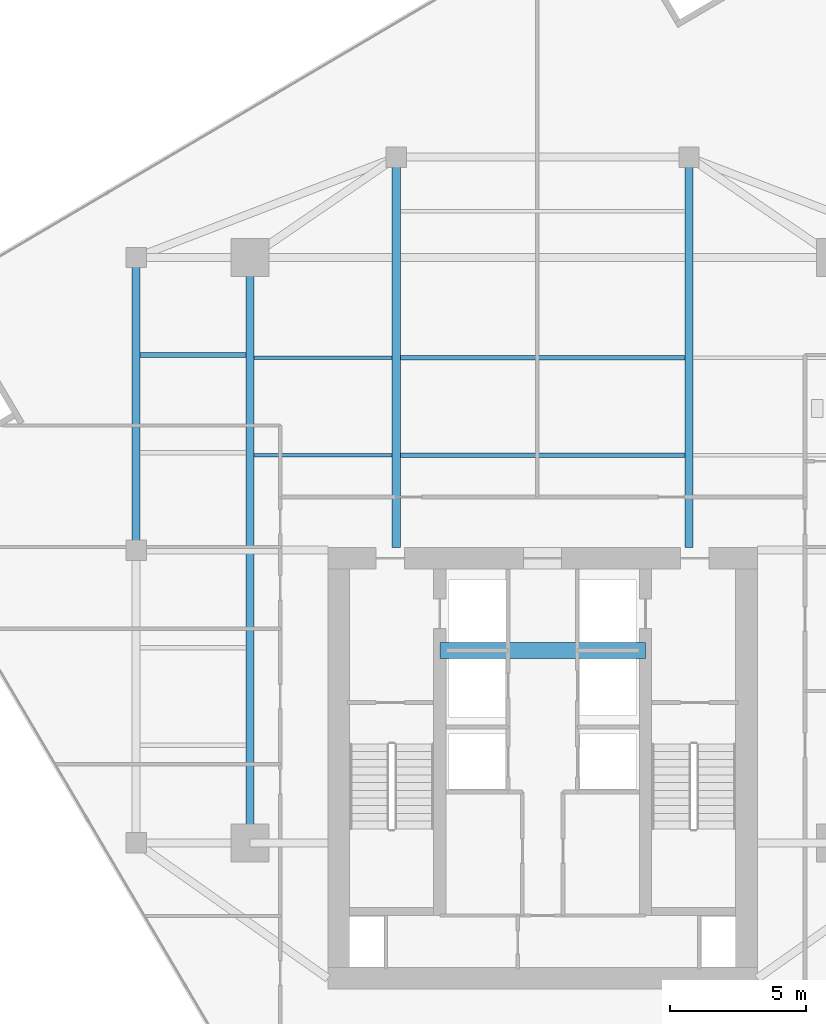
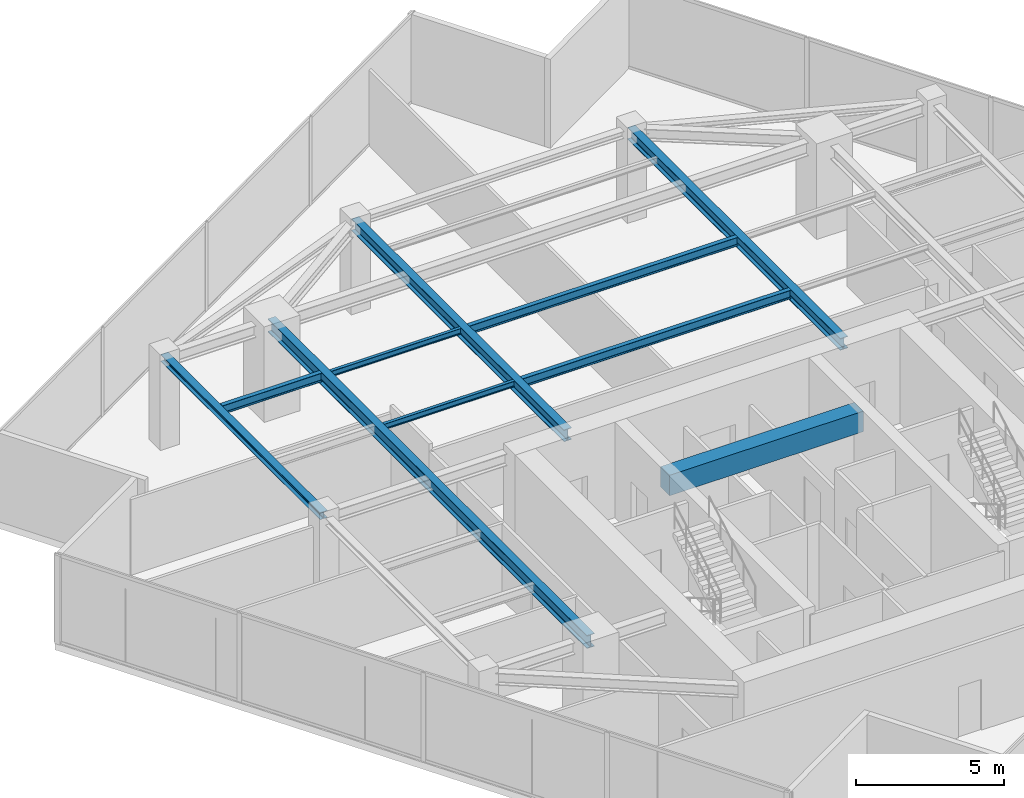
# One storey, part 7 of 20: 10 beams.
"""IFC4 building model written with IfcOpenShell, lengths in metres."""

from ifc_helpers import new_model, si_unit, direction, frame, origin, origin_2d, place, context, subcontext, project, spatial, rectangle, i_section, extrude, source, transform, mapped, material, material_profile, profile_set, type_object, type_shapes, element, save


model = new_model("IFC4")

# Units and contexts
model_context = context("Model", 3, precision=1e-05, world=origin(), true_north=direction((0.0, 1.0)))
body_context = subcontext(model_context, "Body", "Model", "MODEL_VIEW")
ifc_project = project(units=[si_unit("LENGTHUNIT", "METRE"), si_unit("AREAUNIT", "SQUARE_METRE"), si_unit("VOLUMEUNIT", "CUBIC_METRE"), si_unit("PLANEANGLEUNIT", "RADIAN"), si_unit("MASSUNIT", "GRAM", prefix="KILO")], contexts=[model_context])

# Site, building, storey
site_placement = place(None, origin())
site = spatial("IfcSite", under=ifc_project, at=site_placement, CompositionType="ELEMENT")
building_placement = place(site_placement, origin())
building = spatial("IfcBuilding", under=site, at=building_placement, Name="Krantzveldt Concourse Tower", CompositionType="ELEMENT")
storey_placement = place(building_placement, frame((0.0, 0.0, 295.050048828125)))
storey = spatial("IfcBuildingStorey", under=building, at=storey_placement, Name="L72", CompositionType="ELEMENT", Elevation=295.050048828125)

# Beams
ifc_material_1 = material(Name="Steel S355JR", Category="steel")
ifc_material_profile_1 = material_profile(ifc_material_1, i_section(OverallWidth=0.169921875, OverallDepth=0.360107421875, WebThickness=0.008056640625, FlangeThickness=0.0126953125, FilletRadius=0.01806640625, at=origin_2d()), Name="Steel S355JR", Category="steel")
ifc_profile_set_1 = profile_set([ifc_material_profile_1], Name="Steel S355JR - IPE 360")
beam_type_1 = type_object("IfcBeamType", Name="BM-J-IPE360", PredefinedType="JOIST", material=ifc_profile_set_1)
shared_shape_1 = source(origin(), body_context, "Body", "SweptSolid", [
    extrude(i_section(OverallWidth=0.169921875, OverallDepth=0.360107421875, WebThickness=0.008056640625, FlangeThickness=0.0126953125, FilletRadius=0.01806640625, at=origin_2d()), origin(), (0.0, 0.0, 1.0), 10.5),
])
for number, where, z_axis, x_axis, name in (
    (1, (30.75, 30.199951171875, 3.489990234375), (1.0, 0.0, 0.0), (0.0, 1.0, 0.0), "L72 Secondary Floor Joist JN-C1"),
    (2, (30.75, 33.800048828125, 3.489990234375), (1.0, 0.0, 0.0), (0.0, 1.0, 0.0), "L72 Secondary Floor Joist JN-C2"),
):
    element("IfcBeam", number, at=place(storey_placement, frame(where, z_axis=z_axis, x_axis=x_axis)), inside=storey, type_object=beam_type_1, Name=name, PredefinedType="JOIST", context=body_context, shape_type="MappedRepresentation", body=[
        mapped(shared_shape_1, transform((0.0, 0.0, 0.0), x_axis=(1.0, 0.0, 0.0), y_axis=(0.0, 1.0, 0.0), z_axis=(0.0, 0.0, 1.0), scale=1.0)),
    ])
ifc_material_profile_2 = material_profile(ifc_material_1, i_section(OverallWidth=0.300048828125, OverallDepth=0.489990234375, WebThickness=0.011962890625, FlangeThickness=0.02294921875, FilletRadius=0.027099609375, at=origin_2d()), Name="Steel S355JR", Category="steel")
ifc_profile_set_2 = profile_set([ifc_material_profile_2], Name="Steel S355JR - HEA 500")
beam_type_2 = type_object("IfcBeamType", Name="BM-B-HEA500", PredefinedType="BEAM", material=ifc_profile_set_2)
shared_shape_2 = source(origin(), body_context, "Body", "SweptSolid", [
    extrude(i_section(OverallWidth=0.300048828125, OverallDepth=0.489990234375, WebThickness=0.011962890625, FlangeThickness=0.02294921875, FilletRadius=0.027099609375, at=origin_2d()), origin(), (0.0, 0.0, 1.0), 14.39990234375),
])
type_shapes(beam_type_2, [shared_shape_2])
for number, where, z_axis, x_axis, name in (
    (3, (30.60009765625, 26.800048828125, 3.425048828125), (0.0, 1.0, 0.0), (-1.0, 0.0, 0.0), "L72 Tower Girder BG-CNW"),
    (4, (41.39990234375, 26.800048828125, 3.425048828125), (0.0, 1.0, 0.0), (-1.0, 0.0, 0.0), "L72 Tower Girder BG-CNE"),
):
    element("IfcBeam", number, at=place(storey_placement, frame(where, z_axis=z_axis, x_axis=x_axis)), inside=storey, type_object=beam_type_2, Name=name, PredefinedType="BEAM", context=body_context, shape_type="MappedRepresentation", body=[
        mapped(shared_shape_2, transform((0.0, 0.0, 0.0), x_axis=(1.0, 0.0, 0.0), y_axis=(0.0, 1.0, 0.0), z_axis=(0.0, 0.0, 1.0), scale=1.0)),
    ])
ifc_material_2 = material(Name="Concrete C50/60", Category="concrete")
ifc_material_profile_3 = material_profile(ifc_material_2, rectangle(XDim=0.60009765625, YDim=0.85009765625, at=origin_2d()), Name="Concrete C50/60", Category="concrete")
ifc_profile_set_3 = profile_set([ifc_material_profile_3], Name="Concrete C50/60 - RC-CB 600x850")
beam_type_3 = type_object("IfcBeamType", Name="BM-CB-850", PredefinedType="LINTEL", material=ifc_profile_set_3)
shared_shape_3 = source(origin(), body_context, "Body", "SweptSolid", [
    extrude(rectangle(XDim=0.60009765625, YDim=0.85009765625, at=origin_2d()), origin(), (0.0, 0.0, 1.0), 7.580078125),
])
type_shapes(beam_type_3, [shared_shape_3])
beam_1_placement = place(storey_placement, frame((32.2099609375, 23.0, 3.244873046875), z_axis=(1.0, 0.0, 0.0), x_axis=(0.0, 1.0, 0.0)))
element("IfcBeam", 5, at=beam_1_placement, inside=storey, type_object=beam_type_3, Name="CB-L72-01", PredefinedType="LINTEL", context=body_context, shape_type="MappedRepresentation", body=[
    mapped(shared_shape_3, transform((0.0, 0.0, 0.0), x_axis=(1.0, 0.0, 0.0), y_axis=(0.0, 1.0, 0.0), z_axis=(0.0, 0.0, 1.0), scale=1.0)),
])
ifc_material_profile_4 = material_profile(ifc_material_1, i_section(OverallWidth=0.300048828125, OverallDepth=0.5400390625, WebThickness=0.012451171875, FlangeThickness=0.02392578125, FilletRadius=0.027099609375, at=origin_2d()), Name="Steel S355JR", Category="steel")
ifc_profile_set_4 = profile_set([ifc_material_profile_4], Name="Steel S355JR - HEA 550")
beam_type_4 = type_object("IfcBeamType", Name="BM-B-HEA550", PredefinedType="BEAM", material=ifc_profile_set_4)
shared_shape_4 = source(origin(), body_context, "Body", "SweptSolid", [
    extrude(i_section(OverallWidth=0.300048828125, OverallDepth=0.5400390625, WebThickness=0.012451171875, FlangeThickness=0.02392578125, FilletRadius=0.027099609375, at=origin_2d()), origin(), (0.0, 0.0, 1.0), 21.60009765625),
])
type_shapes(beam_type_4, [shared_shape_4])
beam_2_placement = place(storey_placement, frame((25.199951171875, 15.89990234375, 3.39990234375), z_axis=(0.0, 1.0, 0.0), x_axis=(-1.0, 0.0, 0.0)))
element("IfcBeam", 6, at=beam_2_placement, inside=storey, type_object=beam_type_4, Name="L72 Tower Girder BG-MW", PredefinedType="BEAM", context=body_context, shape_type="MappedRepresentation", body=[
    mapped(shared_shape_4, transform((0.0, 0.0, 0.0), x_axis=(1.0, 0.0, 0.0), y_axis=(0.0, 1.0, 0.0), z_axis=(0.0, 0.0, 1.0), scale=1.0)),
])
ifc_material_profile_5 = material_profile(ifc_material_1, i_section(OverallWidth=0.2900390625, OverallDepth=0.2900390625, WebThickness=0.008544921875, FlangeThickness=0.013916015625, FilletRadius=0.027099609375, at=origin_2d()), Name="Steel S355JR", Category="steel")
ifc_profile_set_5 = profile_set([ifc_material_profile_5], Name="Steel S355JR - HEA 300")
beam_type_5 = type_object("IfcBeamType", Name="BM-SP-HEA300", PredefinedType="SPANDREL", material=ifc_profile_set_5)
shared_shape_5 = source(origin(), body_context, "Body", "SweptSolid", [
    extrude(i_section(OverallWidth=0.2900390625, OverallDepth=0.2900390625, WebThickness=0.008544921875, FlangeThickness=0.013916015625, FilletRadius=0.027099609375, at=origin_2d()), origin(), (0.0, 0.0, 1.0), 10.800048828125),
])
type_shapes(beam_type_5, [shared_shape_5])
beam_3_placement = place(storey_placement, frame((21.0, 26.699951171875, 3.52490234375), z_axis=(0.0, 1.0, 0.0), x_axis=(-1.0, 0.0, 0.0)))
element("IfcBeam", 7, at=beam_3_placement, inside=storey, type_object=beam_type_5, Name="L72 Tower Girder SP-R02", PredefinedType="SPANDREL", context=body_context, shape_type="MappedRepresentation", body=[
    mapped(shared_shape_5, transform((0.0, 0.0, 0.0), x_axis=(1.0, 0.0, 0.0), y_axis=(0.0, 1.0, 0.0), z_axis=(0.0, 0.0, 1.0), scale=1.0)),
])
ifc_material_profile_6 = material_profile(ifc_material_1, i_section(OverallWidth=0.1201171875, OverallDepth=0.239990234375, WebThickness=0.006103515625, FlangeThickness=0.009765625, FilletRadius=0.014892578125, at=origin_2d()), Name="Steel S355JR", Category="steel")
ifc_profile_set_6 = profile_set([ifc_material_profile_6], Name="Steel S355JR - IPE 240")
beam_type_6 = type_object("IfcBeamType", Name="BM-LN-IPE240", PredefinedType="LINTEL", material=ifc_profile_set_6)
shared_shape_6 = source(origin(), body_context, "Body", "SweptSolid", [
    extrude(i_section(OverallWidth=0.1201171875, OverallDepth=0.239990234375, WebThickness=0.006103515625, FlangeThickness=0.009765625, FilletRadius=0.014892578125, at=origin_2d()), origin(), (0.0, 0.0, 1.0), 5.099853515625),
])
type_shapes(beam_type_6, [shared_shape_6])
for number, where, z_axis, x_axis, name in (
    (8, (25.35009765625, 30.199951171875, 3.550048828125), (1.0, 0.0, 0.0), (0.0, 1.0, 0.0), "L72 Secondary Floor Joist JN-W1"),
    (9, (25.35009765625, 33.800048828125, 3.550048828125), (1.0, 0.0, 0.0), (0.0, 1.0, 0.0), "L72 Secondary Floor Joist JN-W2"),
):
    element("IfcBeam", number, at=place(storey_placement, frame(where, z_axis=z_axis, x_axis=x_axis)), inside=storey, type_object=beam_type_6, Name=name, PredefinedType="LINTEL", context=body_context, shape_type="MappedRepresentation", body=[
        mapped(shared_shape_6, transform((0.0, 0.0, 0.0), x_axis=(1.0, 0.0, 0.0), y_axis=(0.0, 1.0, 0.0), z_axis=(0.0, 0.0, 1.0), scale=1.0)),
    ])
shared_shape_7 = source(origin(), body_context, "Body", "SweptSolid", [
    extrude(i_section(OverallWidth=0.169921875, OverallDepth=0.360107421875, WebThickness=0.008056640625, FlangeThickness=0.0126953125, FilletRadius=0.01806640625, at=origin_2d()), origin(), (0.0, 0.0, 1.0), 3.900146484375),
])
type_shapes(beam_type_1, [shared_shape_1, shared_shape_7])
beam_4_placement = place(storey_placement, frame((21.14990234375, 33.89990234375, 3.489990234375), z_axis=(1.0, 0.0, 0.0), x_axis=(0.0, 1.0, 0.0)))
element("IfcBeam", 10, at=beam_4_placement, inside=storey, type_object=beam_type_1, Name="L72 Secondary Floor Joist JW-4", PredefinedType="JOIST", context=body_context, shape_type="MappedRepresentation", body=[
    mapped(shared_shape_7, transform((0.0, 0.0, 0.0), x_axis=(1.0, 0.0, 0.0), y_axis=(0.0, 1.0, 0.0), z_axis=(0.0, 0.0, 1.0), scale=1.0)),
])

save(model, "model.ifc")
